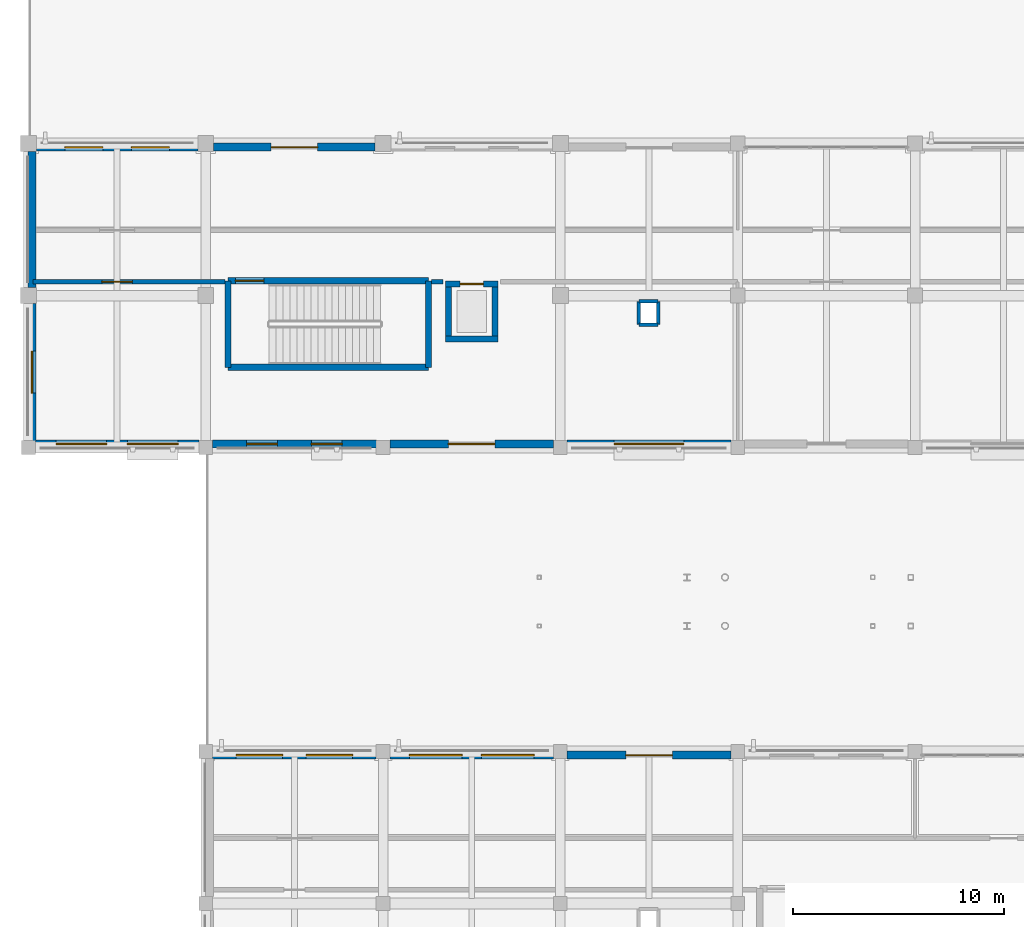
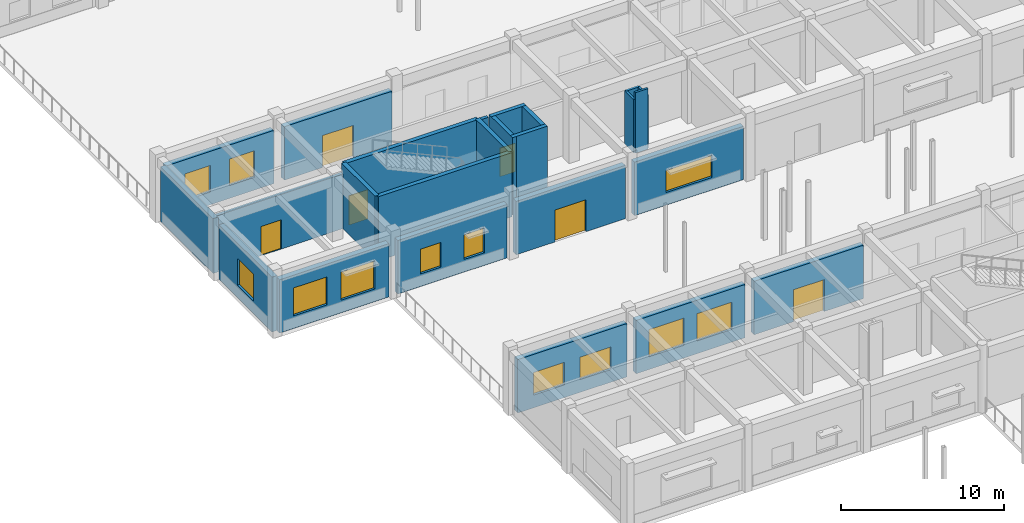
# One storey, part 78 of 121: 25 walls, 12 windows, 6 doors, 18 openings.
"""IFC4 building model written with IfcOpenShell, lengths in metres."""

from ifc_helpers import new_model, si_unit, direction, frame, frame_2d, origin, place, context, subcontext, project, spatial, rectangle, extrude, material, layer, layer_set, type_object, element, fill, save


model = new_model("IFC4")

# Units and contexts
model_context = context("Model", 3, precision=1e-05, world=origin(), true_north=direction((0.0, 1.0)))
body_context = subcontext(model_context, "Body", "Model", "MODEL_VIEW")
ifc_project = project(units=[si_unit("LENGTHUNIT", "METRE"), si_unit("AREAUNIT", "SQUARE_METRE"), si_unit("VOLUMEUNIT", "CUBIC_METRE"), si_unit("PLANEANGLEUNIT", "RADIAN"), si_unit("MASSUNIT", "GRAM", prefix="KILO")], contexts=[model_context])

# Site, building, storey
site_placement = place(None, origin())
site = spatial("IfcSite", under=ifc_project, at=site_placement, CompositionType="ELEMENT")
building_placement = place(site_placement, origin())
building = spatial("IfcBuilding", under=site, at=building_placement, Name="Malvenik Polytechnic", CompositionType="ELEMENT")
storey_placement = place(building_placement, origin())
storey = spatial("IfcBuildingStorey", under=building, at=storey_placement, Name="L00", CompositionType="ELEMENT", Elevation=0.0)

# Wall
ifc_material_1 = material(Name="Concrete C35/45", Category="concrete")
ifc_layer_1 = layer(ifc_material_1, 0.280029296875)
ifc_layer_set_1 = layer_set([ifc_layer_1], Name="Concrete C35/45")
wall_type_1 = type_object("IfcWallType", Name="ARC-CW-S280", PredefinedType="SHEAR", material=ifc_layer_set_1)
wall_1_placement = place(storey_placement, frame((22.239990234375, 84.35009765625, 0.0), z_axis=(0.0, 0.0, 1.0), x_axis=(-1.0, 0.0, 0.0)))
element("IfcWall", 1, at=wall_1_placement, inside=storey, type_object=wall_type_1, Name="Lift Shaft Shear Wall LP-01 L00 -Y", PredefinedType="SHEAR", context=body_context, shape_type="SweptSolid", body=[
    extrude(rectangle(XDim=2.47998046875, YDim=0.280029296875, at=frame_2d((1.239990234375, 0.0))), origin(), (0.0, 0.0, 1.0), 4.820068359375),
])

# Wall, opening, door
wall_2_placement = place(storey_placement, frame((19.760009765625, 86.949951171875, 0.0), z_axis=(0.0, 0.0, 1.0), x_axis=(1.0, 0.0, 0.0)))
wall_2 = element("IfcWall", 2, at=wall_2_placement, inside=storey, type_object=wall_type_1, Name="Lift Shaft Shear Wall LP-01 L00 +Y", PredefinedType="SHEAR", context=body_context, shape_type="SweptSolid", body=[
    extrude(rectangle(XDim=2.47998046875, YDim=0.280029296875, at=frame_2d((1.239990234375, 0.0))), origin(), (0.0, 0.0, 1.0), 4.820068359375),
])
opening_1_placement = place(wall_2_placement, frame((0.68994140625, 0.0, 0.0)))
opening_1 = element("IfcOpeningElement", 3, at=opening_1_placement, cuts=wall_2, Name="Opening LD-01", PredefinedType="OPENING", context=body_context, shape_type="SweptSolid", body=[
    extrude(rectangle(XDim=1.10009765625, YDim=2.14990234375, at=frame_2d((0.550048828125, 1.074951171875))), frame((0.0, 0.14990234375, 0.0), z_axis=(0.0, -1.0, 0.0), x_axis=(1.0, 0.0, 0.0)), (0.0, 0.0, 1.0), 0.300048828125),
])
ifc_material_2 = material(Name="Stainless steel fire-rated sliding lift landing door", Category="steel")
door_type_1 = type_object("IfcDoorType", Name="ARC-LDR-LD-01", OperationType="NOTDEFINED", PredefinedType="DOOR", material=ifc_material_2)
door_1_placement = place(opening_1_placement, origin())
door_1 = element("IfcDoor", 4, at=door_1_placement, inside=storey, type_object=door_type_1, Name="Lift Sliding Landing Door LP-01 L00", OperationType="DOUBLE_DOOR_SLIDING", OverallHeight=2.14990234375, OverallWidth=1.10009765625, PredefinedType="DOOR", context=body_context, shape_type="SweptSolid", body=[
    extrude(rectangle(XDim=1.10009765625, YDim=2.14990234375, at=frame_2d((0.550048828125, 1.074951171875))), frame((0.0, 0.02490234375, 0.0), z_axis=(0.0, -1.0, 0.0), x_axis=(1.0, 0.0, 0.0)), (0.0, 0.0, 1.0), 0.050048828125),
])
fill(opening_1, door_1)

# Walls
for number, where, z_axis, x_axis, name in (
    (5, (19.89990234375, 84.2099609375, 0.0), (0.0, 0.0, 1.0), (0.0, 1.0, 0.0), "Lift Shaft Shear Wall LP-01 L00 -X"),
    (6, (22.10009765625, 87.090087890625, 0.0), (0.0, 0.0, 1.0), (0.0, -1.0, 0.0), "Lift Shaft Shear Wall LP-01 L00 +X"),
):
    element("IfcWall", number, at=place(storey_placement, frame(where, z_axis=z_axis, x_axis=x_axis)), inside=storey, type_object=wall_type_1, Name=name, PredefinedType="SHEAR", context=body_context, shape_type="SweptSolid", body=[
        extrude(rectangle(XDim=2.880126953125, YDim=0.280029296875, at=frame_2d((1.43994140625, 0.0))), origin(), (0.0, 0.0, 1.0), 4.820068359375),
    ])
ifc_layer_2 = layer(ifc_material_1, 0.300048828125)
ifc_layer_set_2 = layer_set([ifc_layer_2], Name="Concrete C35/45")
wall_type_2 = type_object("IfcWallType", Name="ARC-CW-S300", PredefinedType="SHEAR", material=ifc_layer_set_2)
wall_3_placement = place(storey_placement, frame((9.449951171875, 83.0, 0.0), z_axis=(0.0, 0.0, 1.0), x_axis=(0.0, 1.0, 0.0)))
element("IfcWall", 7, at=wall_3_placement, inside=storey, type_object=wall_type_2, Name="Stair Core Shear Wall ST-04 L00 NEAR", PredefinedType="SHEAR", context=body_context, shape_type="SweptSolid", body=[
    extrude(rectangle(XDim=4.10009765625, YDim=0.300048828125, at=frame_2d((2.050048828125, 0.0))), origin(), (0.0, 0.0, 1.0), 4.820068359375),
])

# Wall, opening, door
wall_4_placement = place(storey_placement, frame((9.449951171875, 87.10009765625, 0.0), z_axis=(0.0, 0.0, 1.0), x_axis=(1.0, 0.0, 0.0)))
wall_4 = element("IfcWall", 8, at=wall_4_placement, inside=storey, type_object=wall_type_2, Name="Stair Core Shear Wall ST-04 L00 RGHT", PredefinedType="SHEAR", context=body_context, shape_type="SweptSolid", body=[
    extrude(rectangle(XDim=9.5, YDim=0.300048828125, at=frame_2d((4.75, 0.0))), origin(), (0.0, 0.0, 1.0), 4.820068359375),
])
opening_2_placement = place(wall_4_placement, frame((0.35009765625, 0.0, 0.0)))
opening_2 = element("IfcOpeningElement", 9, at=opening_2_placement, cuts=wall_4, Name="Opening SD-01", PredefinedType="OPENING", context=body_context, shape_type="SweptSolid", body=[
    extrude(rectangle(XDim=1.35009765625, YDim=2.199951171875, at=frame_2d((0.675048828125, 1.10009765625))), frame((0.0, 0.16015625, 0.0), z_axis=(0.0, -1.0, 0.0), x_axis=(1.0, 0.0, 0.0)), (0.0, 0.0, 1.0), 0.320068359375),
])
ifc_material_3 = material(Name="Fire-rated steel stair enclosure door", Category="steel")
door_type_2 = type_object("IfcDoorType", Name="ARC-IDR-SD-01", OperationType="NOTDEFINED", PredefinedType="DOOR", material=ifc_material_3)
door_2_placement = place(opening_2_placement, origin())
door_2 = element("IfcDoor", 10, at=door_2_placement, inside=storey, type_object=door_type_2, Name="Fire Stair Door ST-04 L00", OperationType="SINGLE_SWING_LEFT", OverallHeight=2.199951171875, OverallWidth=1.35009765625, PredefinedType="DOOR", context=body_context, shape_type="SweptSolid", body=[
    extrude(rectangle(XDim=1.35009765625, YDim=2.199951171875, at=frame_2d((0.675048828125, 1.10009765625))), frame((0.0, 0.02490234375, 0.0), z_axis=(0.0, -1.0, 0.0), x_axis=(1.0, 0.0, 0.0)), (0.0, 0.0, 1.0), 0.050048828125),
])
fill(opening_2, door_2)

# Walls
wall_5_placement = place(storey_placement, frame((18.949951171875, 87.10009765625, 0.0), z_axis=(0.0, 0.0, 1.0), x_axis=(0.0, -1.0, 0.0)))
element("IfcWall", 11, at=wall_5_placement, inside=storey, type_object=wall_type_2, Name="Stair Core Shear Wall ST-04 L00 FAR", PredefinedType="SHEAR", context=body_context, shape_type="SweptSolid", body=[
    extrude(rectangle(XDim=4.10009765625, YDim=0.300048828125, at=frame_2d((2.050048828125, 0.0))), origin(), (0.0, 0.0, 1.0), 4.820068359375),
])
wall_6_placement = place(storey_placement, frame((18.949951171875, 83.0, 0.0), z_axis=(0.0, 0.0, 1.0), x_axis=(-1.0, 0.0, 0.0)))
element("IfcWall", 12, at=wall_6_placement, inside=storey, type_object=wall_type_2, Name="Stair Core Shear Wall ST-04 L00 LEFT", PredefinedType="SHEAR", context=body_context, shape_type="SweptSolid", body=[
    extrude(rectangle(XDim=9.5, YDim=0.300048828125, at=frame_2d((4.75, 0.0))), origin(), (0.0, 0.0, 1.0), 4.820068359375),
])

# Wall, openings, windows
ifc_material_4 = material(Name="Concrete C30/37", Category="concrete")
ifc_layer_3 = layer(ifc_material_4, 0.3798828125)
ifc_layer_set_3 = layer_set([ifc_layer_3], Name="Concrete C30/37")
wall_type_3 = type_object("IfcWallType", Name="ARC-EW-380", PredefinedType="SOLIDWALL", material=ifc_layer_set_3)
wall_7_placement = place(storey_placement, frame((8.722900390625, 64.6298828125, 0.0), z_axis=(0.0, 0.0, 1.0), x_axis=(1.0, 0.0, 0.0)))
wall_7 = element("IfcWall", 13, at=wall_7_placement, inside=storey, type_object=wall_type_3, Name="External Facade Wall EW-01 L00 #45", PredefinedType="SOLIDWALL", context=body_context, shape_type="SweptSolid", body=[
    extrude(rectangle(XDim=7.754150390625, YDim=0.3798828125, at=frame_2d((3.876953125, 0.0))), origin(), (0.0, 0.0, 1.0), 4.010009765625),
])
opening_3_placement = place(wall_7_placement, frame((1.117919921875, 0.0, 0.949951171875)))
opening_3 = element("IfcOpeningElement", 14, at=opening_3_placement, cuts=wall_7, Name="Opening W-19", PredefinedType="OPENING", context=body_context, shape_type="SweptSolid", body=[
    extrude(rectangle(XDim=2.199951171875, YDim=1.699951171875, at=frame_2d((1.10009765625, 0.85009765625))), frame((0.0, 0.199951171875, 0.0), z_axis=(0.0, -1.0, 0.0), x_axis=(1.0, 0.0, 0.0)), (0.0, 0.0, 1.0), 0.39990234375),
])
opening_4_placement = place(wall_7_placement, frame((4.43603515625, 0.0, 0.949951171875)))
opening_4 = element("IfcOpeningElement", 15, at=opening_4_placement, cuts=wall_7, Name="Opening W-19", PredefinedType="OPENING", context=body_context, shape_type="SweptSolid", body=[
    extrude(rectangle(XDim=2.199951171875, YDim=1.699951171875, at=frame_2d((1.10009765625, 0.85009765625))), frame((0.0, 0.199951171875, 0.0), z_axis=(0.0, -1.0, 0.0), x_axis=(1.0, 0.0, 0.0)), (0.0, 0.0, 1.0), 0.39990234375),
])
ifc_material_5 = material(Name="Thermally broken aluminium frame with low-E double glazing", Category="aluminium")
window_type_1 = type_object("IfcWindowType", Name="ARC-WIN-W-19", PartitioningType="SINGLE_PANEL", PredefinedType="WINDOW", material=ifc_material_5)
window_1_placement = place(opening_3_placement, origin())
window_1 = element("IfcWindow", 16, at=window_1_placement, inside=storey, type_object=window_type_1, Name="Punched Window W-19 L00 #13", OverallHeight=1.699951171875, OverallWidth=2.199951171875, PartitioningType="SINGLE_PANEL", PredefinedType="WINDOW", context=body_context, shape_type="SweptSolid", body=[
    extrude(rectangle(XDim=2.199951171875, YDim=1.699951171875, at=frame_2d((1.10009765625, 0.85009765625))), frame((0.0, 0.030029296875, 0.0), z_axis=(0.0, -1.0, 0.0), x_axis=(1.0, 0.0, 0.0)), (0.0, 0.0, 1.0), 0.06005859375),
])
fill(opening_3, window_1)
window_2_placement = place(opening_4_placement, origin())
window_2 = element("IfcWindow", 17, at=window_2_placement, inside=storey, type_object=window_type_1, Name="Punched Window W-19 L00 #14", OverallHeight=1.699951171875, OverallWidth=2.199951171875, PartitioningType="SINGLE_PANEL", PredefinedType="WINDOW", context=body_context, shape_type="SweptSolid", body=[
    extrude(rectangle(XDim=2.199951171875, YDim=1.699951171875, at=frame_2d((1.10009765625, 0.85009765625))), frame((0.0, 0.030029296875, 0.0), z_axis=(0.0, -1.0, 0.0), x_axis=(1.0, 0.0, 0.0)), (0.0, 0.0, 1.0), 0.06005859375),
])
fill(opening_4, window_2)

wall_8_placement = place(storey_placement, frame((17.123046875, 64.6298828125, 0.0), z_axis=(0.0, 0.0, 1.0), x_axis=(1.0, 0.0, 0.0)))
wall_8 = element("IfcWall", 18, at=wall_8_placement, inside=storey, type_object=wall_type_3, Name="External Facade Wall EW-01 L00 #46", PredefinedType="SOLIDWALL", context=body_context, shape_type="SweptSolid", body=[
    extrude(rectangle(XDim=7.75390625, YDim=0.3798828125, at=frame_2d((3.876953125, 0.0))), origin(), (0.0, 0.0, 1.0), 4.010009765625),
])
opening_5_placement = place(wall_8_placement, frame((0.91796875, 0.0, 0.949951171875)))
opening_5 = element("IfcOpeningElement", 19, at=opening_5_placement, cuts=wall_8, Name="Opening W-21", PredefinedType="OPENING", context=body_context, shape_type="SweptSolid", body=[
    extrude(rectangle(XDim=2.5, YDim=2.050048828125, at=frame_2d((1.25, 1.02490234375))), frame((0.0, 0.199951171875, 0.0), z_axis=(0.0, -1.0, 0.0), x_axis=(1.0, 0.0, 0.0)), (0.0, 0.0, 1.0), 0.39990234375),
])
opening_6_placement = place(wall_8_placement, frame((4.3359375, 0.0, 0.949951171875)))
opening_6 = element("IfcOpeningElement", 20, at=opening_6_placement, cuts=wall_8, Name="Opening W-21", PredefinedType="OPENING", context=body_context, shape_type="SweptSolid", body=[
    extrude(rectangle(XDim=2.5, YDim=2.050048828125, at=frame_2d((1.25, 1.02490234375))), frame((0.0, 0.199951171875, 0.0), z_axis=(0.0, -1.0, 0.0), x_axis=(1.0, 0.0, 0.0)), (0.0, 0.0, 1.0), 0.39990234375),
])
window_type_2 = type_object("IfcWindowType", Name="ARC-WIN-W-21", PartitioningType="SINGLE_PANEL", PredefinedType="WINDOW", material=ifc_material_5)
window_3_placement = place(opening_5_placement, origin())
window_3 = element("IfcWindow", 21, at=window_3_placement, inside=storey, type_object=window_type_2, Name="Punched Window W-21 L00 #15", OverallHeight=2.050048828125, OverallWidth=2.5, PartitioningType="SINGLE_PANEL", PredefinedType="WINDOW", context=body_context, shape_type="SweptSolid", body=[
    extrude(rectangle(XDim=2.5, YDim=2.050048828125, at=frame_2d((1.25, 1.02490234375))), frame((0.0, 0.030029296875, 0.0), z_axis=(0.0, -1.0, 0.0), x_axis=(1.0, 0.0, 0.0)), (0.0, 0.0, 1.0), 0.06005859375),
])
fill(opening_5, window_3)
window_4_placement = place(opening_6_placement, origin())
window_4 = element("IfcWindow", 22, at=window_4_placement, inside=storey, type_object=window_type_2, Name="Punched Window W-21 L00 #16", OverallHeight=2.050048828125, OverallWidth=2.5, PartitioningType="SINGLE_PANEL", PredefinedType="WINDOW", context=body_context, shape_type="SweptSolid", body=[
    extrude(rectangle(XDim=2.5, YDim=2.050048828125, at=frame_2d((1.25, 1.02490234375))), frame((0.0, 0.030029296875, 0.0), z_axis=(0.0, -1.0, 0.0), x_axis=(1.0, 0.0, 0.0)), (0.0, 0.0, 1.0), 0.06005859375),
])
fill(opening_6, window_4)

# Wall, opening, door
wall_9_placement = place(storey_placement, frame((25.52294921875, 64.6298828125, 0.0), z_axis=(0.0, 0.0, 1.0), x_axis=(1.0, 0.0, 0.0)))
wall_9 = element("IfcWall", 23, at=wall_9_placement, inside=storey, type_object=wall_type_3, Name="External Facade Wall EW-01 L00 #47", PredefinedType="SOLIDWALL", context=body_context, shape_type="SweptSolid", body=[
    extrude(rectangle(XDim=7.754150390625, YDim=0.3798828125, at=frame_2d((3.876953125, 0.0))), origin(), (0.0, 0.0, 1.0), 4.010009765625),
])
opening_7_placement = place(wall_9_placement, frame((2.777099609375, 0.0, 0.0)))
opening_7 = element("IfcOpeningElement", 24, at=opening_7_placement, cuts=wall_9, Name="Opening ED-02", PredefinedType="OPENING", context=body_context, shape_type="SweptSolid", body=[
    extrude(rectangle(XDim=2.199951171875, YDim=2.39990234375, at=frame_2d((1.10009765625, 1.199951171875))), frame((0.0, 0.199951171875, 0.0), z_axis=(0.0, -1.0, 0.0), x_axis=(1.0, 0.0, 0.0)), (0.0, 0.0, 1.0), 0.39990234375),
])
ifc_material_6 = material(Name="Thermally broken glazed aluminium entrance door", Category="aluminium")
door_type_3 = type_object("IfcDoorType", Name="ARC-EDR-ED-02", OperationType="NOTDEFINED", PredefinedType="DOOR", material=ifc_material_6)
door_3_placement = place(opening_7_placement, origin())
door_3 = element("IfcDoor", 25, at=door_3_placement, inside=storey, type_object=door_type_3, Name="External Door ED-02 L00 #8", OperationType="DOUBLE_DOOR_SINGLE_SWING", OverallHeight=2.39990234375, OverallWidth=2.199951171875, PredefinedType="DOOR", context=body_context, shape_type="SweptSolid", body=[
    extrude(rectangle(XDim=2.199951171875, YDim=2.39990234375, at=frame_2d((1.10009765625, 1.199951171875))), frame((0.0, 0.02490234375, 0.0), z_axis=(0.0, -1.0, 0.0), x_axis=(1.0, 0.0, 0.0)), (0.0, 0.0, 1.0), 0.050048828125),
])
fill(opening_7, door_3)

# Wall, opening, window
wall_10_placement = place(storey_placement, frame((33.277099609375, 79.3701171875, 0.0), z_axis=(0.0, 0.0, 1.0), x_axis=(-1.0, 0.0, 0.0)))
wall_10 = element("IfcWall", 26, at=wall_10_placement, inside=storey, type_object=wall_type_3, Name="External Facade Wall EW-01 L00 #58", PredefinedType="SOLIDWALL", context=body_context, shape_type="SweptSolid", body=[
    extrude(rectangle(XDim=7.754150390625, YDim=0.3798828125, at=frame_2d((3.876953125, 0.0))), origin(), (0.0, 0.0, 1.0), 4.010009765625),
])
opening_8_placement = place(wall_10_placement, frame((2.22705078125, 0.0, 0.949951171875)))
opening_8 = element("IfcOpeningElement", 27, at=opening_8_placement, cuts=wall_10, Name="Opening W-30", PredefinedType="OPENING", context=body_context, shape_type="SweptSolid", body=[
    extrude(rectangle(XDim=3.300048828125, YDim=1.64990234375, at=frame_2d((1.64990234375, 0.824951171875))), frame((0.0, 0.199951171875, 0.0), z_axis=(0.0, -1.0, 0.0), x_axis=(1.0, 0.0, 0.0)), (0.0, 0.0, 1.0), 0.39990234375),
])
window_type_3 = type_object("IfcWindowType", Name="ARC-WIN-W-30", PartitioningType="SINGLE_PANEL", PredefinedType="WINDOW", material=ifc_material_5)
window_5_placement = place(opening_8_placement, origin())
window_5 = element("IfcWindow", 28, at=window_5_placement, inside=storey, type_object=window_type_3, Name="Punched Window W-30 L00 #24", OverallHeight=1.64990234375, OverallWidth=3.300048828125, PartitioningType="SINGLE_PANEL", PredefinedType="WINDOW", context=body_context, shape_type="SweptSolid", body=[
    extrude(rectangle(XDim=3.300048828125, YDim=1.64990234375, at=frame_2d((1.64990234375, 0.824951171875))), frame((0.0, 0.030029296875, 0.0), z_axis=(0.0, -1.0, 0.0), x_axis=(1.0, 0.0, 0.0)), (0.0, 0.0, 1.0), 0.06005859375),
])
fill(opening_8, window_5)

# Wall, opening, door
wall_11_placement = place(storey_placement, frame((24.876953125, 79.3701171875, 0.0), z_axis=(0.0, 0.0, 1.0), x_axis=(-1.0, 0.0, 0.0)))
wall_11 = element("IfcWall", 29, at=wall_11_placement, inside=storey, type_object=wall_type_3, Name="External Facade Wall EW-01 L00 #59", PredefinedType="SOLIDWALL", context=body_context, shape_type="SweptSolid", body=[
    extrude(rectangle(XDim=7.75390625, YDim=0.3798828125, at=frame_2d((3.876953125, 0.0))), origin(), (0.0, 0.0, 1.0), 4.010009765625),
])
opening_9_placement = place(wall_11_placement, frame((2.777099609375, 0.0, 0.0)))
opening_9 = element("IfcOpeningElement", 30, at=opening_9_placement, cuts=wall_11, Name="Opening ED-02", PredefinedType="OPENING", context=body_context, shape_type="SweptSolid", body=[
    extrude(rectangle(XDim=2.199951171875, YDim=2.39990234375, at=frame_2d((1.10009765625, 1.199951171875))), frame((0.0, 0.199951171875, 0.0), z_axis=(0.0, -1.0, 0.0), x_axis=(1.0, 0.0, 0.0)), (0.0, 0.0, 1.0), 0.39990234375),
])
door_4_placement = place(opening_9_placement, origin())
door_4 = element("IfcDoor", 31, at=door_4_placement, inside=storey, type_object=door_type_3, Name="External Door ED-02 L00 #14", OperationType="DOUBLE_DOOR_SINGLE_SWING", OverallHeight=2.39990234375, OverallWidth=2.199951171875, PredefinedType="DOOR", context=body_context, shape_type="SweptSolid", body=[
    extrude(rectangle(XDim=2.199951171875, YDim=2.39990234375, at=frame_2d((1.10009765625, 1.199951171875))), frame((0.0, 0.02490234375, 0.0), z_axis=(0.0, -1.0, 0.0), x_axis=(1.0, 0.0, 0.0)), (0.0, 0.0, 1.0), 0.050048828125),
])
fill(opening_9, door_4)

# Wall, openings, windows
wall_12_placement = place(storey_placement, frame((16.47705078125, 79.3701171875, 0.0), z_axis=(0.0, 0.0, 1.0), x_axis=(-1.0, 0.0, 0.0)))
wall_12 = element("IfcWall", 32, at=wall_12_placement, inside=storey, type_object=wall_type_3, Name="External Facade Wall EW-01 L00 #60", PredefinedType="SOLIDWALL", context=body_context, shape_type="SweptSolid", body=[
    extrude(rectangle(XDim=7.754150390625, YDim=0.3798828125, at=frame_2d((3.876953125, 0.0))), origin(), (0.0, 0.0, 1.0), 4.010009765625),
])
opening_10_placement = place(wall_12_placement, frame((1.617919921875, 0.0, 0.949951171875)))
opening_10 = element("IfcOpeningElement", 33, at=opening_10_placement, cuts=wall_12, Name="Opening W-31", PredefinedType="OPENING", context=body_context, shape_type="SweptSolid", body=[
    extrude(rectangle(XDim=1.449951171875, YDim=1.85009765625, at=frame_2d((0.72509765625, 0.925048828125))), frame((0.0, 0.199951171875, 0.0), z_axis=(0.0, -1.0, 0.0), x_axis=(1.0, 0.0, 0.0)), (0.0, 0.0, 1.0), 0.39990234375),
])
opening_11_placement = place(wall_12_placement, frame((4.68603515625, 0.0, 0.949951171875)))
opening_11 = element("IfcOpeningElement", 34, at=opening_11_placement, cuts=wall_12, Name="Opening W-31", PredefinedType="OPENING", context=body_context, shape_type="SweptSolid", body=[
    extrude(rectangle(XDim=1.449951171875, YDim=1.85009765625, at=frame_2d((0.72509765625, 0.925048828125))), frame((0.0, 0.199951171875, 0.0), z_axis=(0.0, -1.0, 0.0), x_axis=(1.0, 0.0, 0.0)), (0.0, 0.0, 1.0), 0.39990234375),
])
window_type_4 = type_object("IfcWindowType", Name="ARC-WIN-W-31", PartitioningType="SINGLE_PANEL", PredefinedType="WINDOW", material=ifc_material_5)
window_6_placement = place(opening_10_placement, origin())
window_6 = element("IfcWindow", 35, at=window_6_placement, inside=storey, type_object=window_type_4, Name="Punched Window W-31 L00 #25", OverallHeight=1.85009765625, OverallWidth=1.449951171875, PartitioningType="SINGLE_PANEL", PredefinedType="WINDOW", context=body_context, shape_type="SweptSolid", body=[
    extrude(rectangle(XDim=1.449951171875, YDim=1.85009765625, at=frame_2d((0.72509765625, 0.925048828125))), frame((0.0, 0.030029296875, 0.0), z_axis=(0.0, -1.0, 0.0), x_axis=(1.0, 0.0, 0.0)), (0.0, 0.0, 1.0), 0.06005859375),
])
fill(opening_10, window_6)
window_7_placement = place(opening_11_placement, origin())
window_7 = element("IfcWindow", 36, at=window_7_placement, inside=storey, type_object=window_type_4, Name="Punched Window W-31 L00 #26", OverallHeight=1.85009765625, OverallWidth=1.449951171875, PartitioningType="SINGLE_PANEL", PredefinedType="WINDOW", context=body_context, shape_type="SweptSolid", body=[
    extrude(rectangle(XDim=1.449951171875, YDim=1.85009765625, at=frame_2d((0.72509765625, 0.925048828125))), frame((0.0, 0.030029296875, 0.0), z_axis=(0.0, -1.0, 0.0), x_axis=(1.0, 0.0, 0.0)), (0.0, 0.0, 1.0), 0.06005859375),
])
fill(opening_11, window_7)

wall_13_placement = place(storey_placement, frame((8.076904296875, 79.3701171875, 0.0), z_axis=(0.0, 0.0, 1.0), x_axis=(-1.0, 0.0, 0.0)))
wall_13 = element("IfcWall", 37, at=wall_13_placement, inside=storey, type_object=wall_type_3, Name="External Facade Wall EW-01 L00 #61", PredefinedType="SOLIDWALL", context=body_context, shape_type="SweptSolid", body=[
    extrude(rectangle(XDim=7.75390625, YDim=0.3798828125, at=frame_2d((3.876953125, 0.0))), origin(), (0.0, 0.0, 1.0), 4.010009765625),
])
opening_12_placement = place(wall_13_placement, frame((0.984619140625, 0.0, 0.949951171875)))
opening_12 = element("IfcOpeningElement", 38, at=opening_12_placement, cuts=wall_13, Name="Opening W-01", PredefinedType="OPENING", context=body_context, shape_type="SweptSolid", body=[
    extrude(rectangle(XDim=2.39990234375, YDim=2.10009765625, at=frame_2d((1.199951171875, 1.050048828125))), frame((0.0, 0.199951171875, 0.0), z_axis=(0.0, -1.0, 0.0), x_axis=(1.0, 0.0, 0.0)), (0.0, 0.0, 1.0), 0.39990234375),
])
opening_13_placement = place(wall_13_placement, frame((4.369384765625, 0.0, 0.949951171875)))
opening_13 = element("IfcOpeningElement", 39, at=opening_13_placement, cuts=wall_13, Name="Opening W-01", PredefinedType="OPENING", context=body_context, shape_type="SweptSolid", body=[
    extrude(rectangle(XDim=2.39990234375, YDim=2.10009765625, at=frame_2d((1.199951171875, 1.050048828125))), frame((0.0, 0.199951171875, 0.0), z_axis=(0.0, -1.0, 0.0), x_axis=(1.0, 0.0, 0.0)), (0.0, 0.0, 1.0), 0.39990234375),
])
window_type_5 = type_object("IfcWindowType", Name="ARC-WIN-W-01", PartitioningType="SINGLE_PANEL", PredefinedType="WINDOW", material=ifc_material_5)
window_8_placement = place(opening_12_placement, origin())
window_8 = element("IfcWindow", 40, at=window_8_placement, inside=storey, type_object=window_type_5, Name="Punched Window W-01 L00 #27", OverallHeight=2.10009765625, OverallWidth=2.39990234375, PartitioningType="SINGLE_PANEL", PredefinedType="WINDOW", context=body_context, shape_type="SweptSolid", body=[
    extrude(rectangle(XDim=2.39990234375, YDim=2.10009765625, at=frame_2d((1.199951171875, 1.050048828125))), frame((0.0, 0.030029296875, 0.0), z_axis=(0.0, -1.0, 0.0), x_axis=(1.0, 0.0, 0.0)), (0.0, 0.0, 1.0), 0.06005859375),
])
fill(opening_12, window_8)
window_9_placement = place(opening_13_placement, origin())
window_9 = element("IfcWindow", 41, at=window_9_placement, inside=storey, type_object=window_type_5, Name="Punched Window W-01 L00 #28", OverallHeight=2.10009765625, OverallWidth=2.39990234375, PartitioningType="SINGLE_PANEL", PredefinedType="WINDOW", context=body_context, shape_type="SweptSolid", body=[
    extrude(rectangle(XDim=2.39990234375, YDim=2.10009765625, at=frame_2d((1.199951171875, 1.050048828125))), frame((0.0, 0.030029296875, 0.0), z_axis=(0.0, -1.0, 0.0), x_axis=(1.0, 0.0, 0.0)), (0.0, 0.0, 1.0), 0.06005859375),
])
fill(opening_13, window_9)

# Wall, opening, window
wall_14_placement = place(storey_placement, frame((0.169921875, 79.52294921875, 0.0), z_axis=(0.0, 0.0, 1.0), x_axis=(0.0, 1.0, 0.0)))
wall_14 = element("IfcWall", 42, at=wall_14_placement, inside=storey, type_object=wall_type_3, Name="External Facade Wall EW-01 L00 #62", PredefinedType="SOLIDWALL", context=body_context, shape_type="SweptSolid", body=[
    extrude(rectangle(XDim=6.504150390625, YDim=0.3798828125, at=frame_2d((3.251953125, 0.0))), origin(), (0.0, 0.0, 1.0), 4.110107421875),
])
opening_14_placement = place(wall_14_placement, frame((2.251953125, 0.0, 0.949951171875)))
opening_14 = element("IfcOpeningElement", 43, at=opening_14_placement, cuts=wall_14, Name="Opening W-03", PredefinedType="OPENING", context=body_context, shape_type="SweptSolid", body=[
    extrude(rectangle(XDim=2.0, YDim=2.0, at=frame_2d((1.0, 1.0))), frame((0.0, 0.199951171875, 0.0), z_axis=(0.0, -1.0, 0.0), x_axis=(1.0, 0.0, 0.0)), (0.0, 0.0, 1.0), 0.39990234375),
])
window_type_6 = type_object("IfcWindowType", Name="ARC-WIN-W-03", PartitioningType="SINGLE_PANEL", PredefinedType="WINDOW", material=ifc_material_5)
window_10_placement = place(opening_14_placement, origin())
window_10 = element("IfcWindow", 44, at=window_10_placement, inside=storey, type_object=window_type_6, Name="Punched Window W-03 L00 #29", OverallHeight=2.0, OverallWidth=2.0, PartitioningType="SINGLE_PANEL", PredefinedType="WINDOW", context=body_context, shape_type="SweptSolid", body=[
    extrude(rectangle(XDim=2.0, YDim=2.0, at=frame_2d((1.0, 1.0))), frame((0.0, 0.030029296875, 0.0), z_axis=(0.0, -1.0, 0.0), x_axis=(1.0, 0.0, 0.0)), (0.0, 0.0, 1.0), 0.06005859375),
])
fill(opening_14, window_10)

# Wall
wall_15_placement = place(storey_placement, frame((0.169921875, 86.77294921875, 0.0), z_axis=(0.0, 0.0, 1.0), x_axis=(0.0, 1.0, 0.0)))
element("IfcWall", 45, at=wall_15_placement, inside=storey, type_object=wall_type_3, Name="External Facade Wall EW-01 L00 #63", PredefinedType="SOLIDWALL", context=body_context, shape_type="SweptSolid", body=[
    extrude(rectangle(XDim=6.4541015625, YDim=0.3798828125, at=frame_2d((3.22705078125, 0.0))), origin(), (0.0, 0.0, 1.0), 4.110107421875),
])

# Wall, openings, windows
wall_16_placement = place(storey_placement, frame((0.373046875, 93.429931640625, 0.0), z_axis=(0.0, 0.0, 1.0), x_axis=(1.0, 0.0, 0.0)))
wall_16 = element("IfcWall", 46, at=wall_16_placement, inside=storey, type_object=wall_type_3, Name="External Facade Wall EW-01 L00 #64", PredefinedType="SOLIDWALL", context=body_context, shape_type="SweptSolid", body=[
    extrude(rectangle(XDim=7.654052734375, YDim=0.3798828125, at=frame_2d((3.8271484375, 0.0))), origin(), (0.0, 0.0, 1.0), 4.010009765625),
])
opening_15_placement = place(wall_16_placement, frame((1.351318359375, 0.0, 0.949951171875)))
opening_15 = element("IfcOpeningElement", 47, at=opening_15_placement, cuts=wall_16, Name="Opening W-04", PredefinedType="OPENING", context=body_context, shape_type="SweptSolid", body=[
    extrude(rectangle(XDim=1.800048828125, YDim=2.0, at=frame_2d((0.89990234375, 1.0))), frame((0.0, 0.199951171875, 0.0), z_axis=(0.0, -1.0, 0.0), x_axis=(1.0, 0.0, 0.0)), (0.0, 0.0, 1.0), 0.39990234375),
])
opening_16_placement = place(wall_16_placement, frame((4.502685546875, 0.0, 0.949951171875)))
opening_16 = element("IfcOpeningElement", 48, at=opening_16_placement, cuts=wall_16, Name="Opening W-04", PredefinedType="OPENING", context=body_context, shape_type="SweptSolid", body=[
    extrude(rectangle(XDim=1.800048828125, YDim=2.0, at=frame_2d((0.89990234375, 1.0))), frame((0.0, 0.199951171875, 0.0), z_axis=(0.0, -1.0, 0.0), x_axis=(1.0, 0.0, 0.0)), (0.0, 0.0, 1.0), 0.39990234375),
])
window_type_7 = type_object("IfcWindowType", Name="ARC-WIN-W-04", PartitioningType="SINGLE_PANEL", PredefinedType="WINDOW", material=ifc_material_5)
window_11_placement = place(opening_15_placement, origin())
window_11 = element("IfcWindow", 49, at=window_11_placement, inside=storey, type_object=window_type_7, Name="Punched Window W-04 L00 #30", OverallHeight=2.0, OverallWidth=1.800048828125, PartitioningType="SINGLE_PANEL", PredefinedType="WINDOW", context=body_context, shape_type="SweptSolid", body=[
    extrude(rectangle(XDim=1.800048828125, YDim=2.0, at=frame_2d((0.89990234375, 1.0))), frame((0.0, 0.030029296875, 0.0), z_axis=(0.0, -1.0, 0.0), x_axis=(1.0, 0.0, 0.0)), (0.0, 0.0, 1.0), 0.06005859375),
])
fill(opening_15, window_11)
window_12_placement = place(opening_16_placement, origin())
window_12 = element("IfcWindow", 50, at=window_12_placement, inside=storey, type_object=window_type_7, Name="Punched Window W-04 L00 #31", OverallHeight=2.0, OverallWidth=1.800048828125, PartitioningType="SINGLE_PANEL", PredefinedType="WINDOW", context=body_context, shape_type="SweptSolid", body=[
    extrude(rectangle(XDim=1.800048828125, YDim=2.0, at=frame_2d((0.89990234375, 1.0))), frame((0.0, 0.030029296875, 0.0), z_axis=(0.0, -1.0, 0.0), x_axis=(1.0, 0.0, 0.0)), (0.0, 0.0, 1.0), 0.06005859375),
])
fill(opening_16, window_12)

# Wall, opening, door
wall_17_placement = place(storey_placement, frame((8.77294921875, 93.429931640625, 0.0), z_axis=(0.0, 0.0, 1.0), x_axis=(1.0, 0.0, 0.0)))
wall_17 = element("IfcWall", 51, at=wall_17_placement, inside=storey, type_object=wall_type_3, Name="External Facade Wall EW-01 L00 #65", PredefinedType="SOLIDWALL", context=body_context, shape_type="SweptSolid", body=[
    extrude(rectangle(XDim=7.654052734375, YDim=0.3798828125, at=frame_2d((3.8271484375, 0.0))), origin(), (0.0, 0.0, 1.0), 4.010009765625),
])
opening_17_placement = place(wall_17_placement, frame((2.72705078125, 0.0, 0.0)))
opening_17 = element("IfcOpeningElement", 52, at=opening_17_placement, cuts=wall_17, Name="Opening ED-02", PredefinedType="OPENING", context=body_context, shape_type="SweptSolid", body=[
    extrude(rectangle(XDim=2.199951171875, YDim=2.39990234375, at=frame_2d((1.10009765625, 1.199951171875))), frame((0.0, 0.199951171875, 0.0), z_axis=(0.0, -1.0, 0.0), x_axis=(1.0, 0.0, 0.0)), (0.0, 0.0, 1.0), 0.39990234375),
])
door_5_placement = place(opening_17_placement, origin())
door_5 = element("IfcDoor", 53, at=door_5_placement, inside=storey, type_object=door_type_3, Name="External Door ED-02 L00 #15", OperationType="DOUBLE_DOOR_SINGLE_SWING", OverallHeight=2.39990234375, OverallWidth=2.199951171875, PredefinedType="DOOR", context=body_context, shape_type="SweptSolid", body=[
    extrude(rectangle(XDim=2.199951171875, YDim=2.39990234375, at=frame_2d((1.10009765625, 1.199951171875))), frame((0.0, 0.02490234375, 0.0), z_axis=(0.0, -1.0, 0.0), x_axis=(1.0, 0.0, 0.0)), (0.0, 0.0, 1.0), 0.050048828125),
])
fill(opening_17, door_5)

# Wall
ifc_material_7 = material(Name="Autoclaved aerated concrete blockwork 220mm", Category="masonry")
ifc_layer_4 = layer(ifc_material_7, 0.219970703125)
ifc_layer_set_4 = layer_set([ifc_layer_4], Name="Autoclaved aerated concrete blockwork 220mm")
wall_type_4 = type_object("IfcWallType", Name="ARC-FW-220", PredefinedType="SOLIDWALL", material=ifc_layer_set_4)
wall_18_placement = place(storey_placement, frame((19.6298828125, 87.050048828125, 0.0), z_axis=(0.0, 0.0, 1.0), x_axis=(-1.0, 0.0, 0.0)))
element("IfcWall", 54, at=wall_18_placement, inside=storey, type_object=wall_type_4, Name="Interior Partition FW-01 L00 #78", PredefinedType="SOLIDWALL", context=body_context, shape_type="SweptSolid", body=[
    extrude(rectangle(XDim=0.539794921875, YDim=0.219970703125, at=frame_2d((0.27001953125, 0.0))), origin(), (0.0, 0.0, 1.0), 4.75),
])

# Wall, opening, door
wall_19_placement = place(storey_placement, frame((9.31005859375, 87.050048828125, 0.0), z_axis=(0.0, 0.0, 1.0), x_axis=(-1.0, 0.0, 0.0)))
wall_19 = element("IfcWall", 55, at=wall_19_placement, inside=storey, type_object=wall_type_4, Name="Interior Partition FW-01 L00 #79", PredefinedType="SOLIDWALL", context=body_context, shape_type="SweptSolid", body=[
    extrude(rectangle(XDim=9.090087890625, YDim=0.219970703125, at=frame_2d((4.544921875, 0.0))), origin(), (0.0, 0.0, 1.0), 4.10498046875),
])
opening_18_placement = place(wall_19_placement, frame((4.385009765625, 0.0, 0.0)))
opening_18 = element("IfcOpeningElement", 56, at=opening_18_placement, cuts=wall_19, Name="Opening FD-08", PredefinedType="OPENING", context=body_context, shape_type="SweptSolid", body=[
    extrude(rectangle(XDim=1.449951171875, YDim=2.199951171875, at=frame_2d((0.72509765625, 1.10009765625))), frame((0.0, 0.1201171875, 0.0), z_axis=(0.0, -1.0, 0.0), x_axis=(1.0, 0.0, 0.0)), (0.0, 0.0, 1.0), 0.239990234375),
])
ifc_material_8 = material(Name="Fire-rated seminar corridor door", Category="steel")
door_type_4 = type_object("IfcDoorType", Name="ARC-IDR-FD-08", OperationType="NOTDEFINED", PredefinedType="DOOR", material=ifc_material_8)
door_6_placement = place(opening_18_placement, origin())
door_6 = element("IfcDoor", 57, at=door_6_placement, inside=storey, type_object=door_type_4, Name="Interior Door FD-08 L00 #37", OperationType="SINGLE_SWING_LEFT", OverallHeight=2.199951171875, OverallWidth=1.449951171875, PredefinedType="DOOR", context=body_context, shape_type="SweptSolid", body=[
    extrude(rectangle(XDim=1.449951171875, YDim=2.199951171875, at=frame_2d((0.72509765625, 1.10009765625))), frame((0.0, 0.02490234375, 0.0), z_axis=(0.0, -1.0, 0.0), x_axis=(1.0, 0.0, 0.0)), (0.0, 0.0, 1.0), 0.050048828125),
])
fill(opening_18, door_6)

# Walls
ifc_material_9 = material(Name="Double-stud acoustic gypsum board partition 160mm", Category="gypsum")
ifc_layer_5 = layer(ifc_material_9, 0.159912109375)
ifc_layer_set_5 = layer_set([ifc_layer_5], Name="Double-stud acoustic gypsum board partition 160mm")
wall_type_5 = type_object("IfcWallType", Name="ARC-PW-160", PredefinedType="PARTITIONING", material=ifc_layer_set_5)
wall_20_placement = place(storey_placement, frame((28.919921875, 85.02001953125, 0.0), z_axis=(0.0, 0.0, 1.0), x_axis=(1.0, 0.0, 0.0)))
element("IfcWall", 58, at=wall_20_placement, inside=storey, type_object=wall_type_5, Name="Riser Shaft Enclosure L00 #4S", PredefinedType="PARTITIONING", context=body_context, shape_type="SweptSolid", body=[
    extrude(rectangle(XDim=0.91015625, YDim=0.159912109375, at=frame_2d((0.455078125, 0.0))), origin(), (0.0, 0.0, 1.0), 4.550048828125),
])
wall_21_placement = place(storey_placement, frame((29.830078125, 86.1298828125, 0.0), z_axis=(0.0, 0.0, 1.0), x_axis=(-1.0, 0.0, 0.0)))
element("IfcWall", 59, at=wall_21_placement, inside=storey, type_object=wall_type_5, Name="Riser Shaft Enclosure L00 #4N", PredefinedType="PARTITIONING", context=body_context, shape_type="SweptSolid", body=[
    extrude(rectangle(XDim=0.91015625, YDim=0.159912109375, at=frame_2d((0.455078125, 0.0))), origin(), (0.0, 0.0, 1.0), 4.0048828125),
])
for number, where, z_axis, x_axis, name in (
    (60, (28.919921875, 86.1298828125, 0.0), (0.0, 0.0, 1.0), (0.0, -1.0, 0.0), "Riser Shaft Enclosure L00 #4W"),
    (61, (29.830078125, 85.02001953125, 0.0), (0.0, 0.0, 1.0), (0.0, 1.0, 0.0), "Riser Shaft Enclosure L00 #4E"),
):
    element("IfcWall", number, at=place(storey_placement, frame(where, z_axis=z_axis, x_axis=x_axis)), inside=storey, type_object=wall_type_5, Name=name, PredefinedType="PARTITIONING", context=body_context, shape_type="SweptSolid", body=[
        extrude(rectangle(XDim=1.10986328125, YDim=0.159912109375, at=frame_2d((0.554931640625, 0.0))), origin(), (0.0, 0.0, 1.0), 4.0048828125),
    ])

save(model, "model.ifc")
